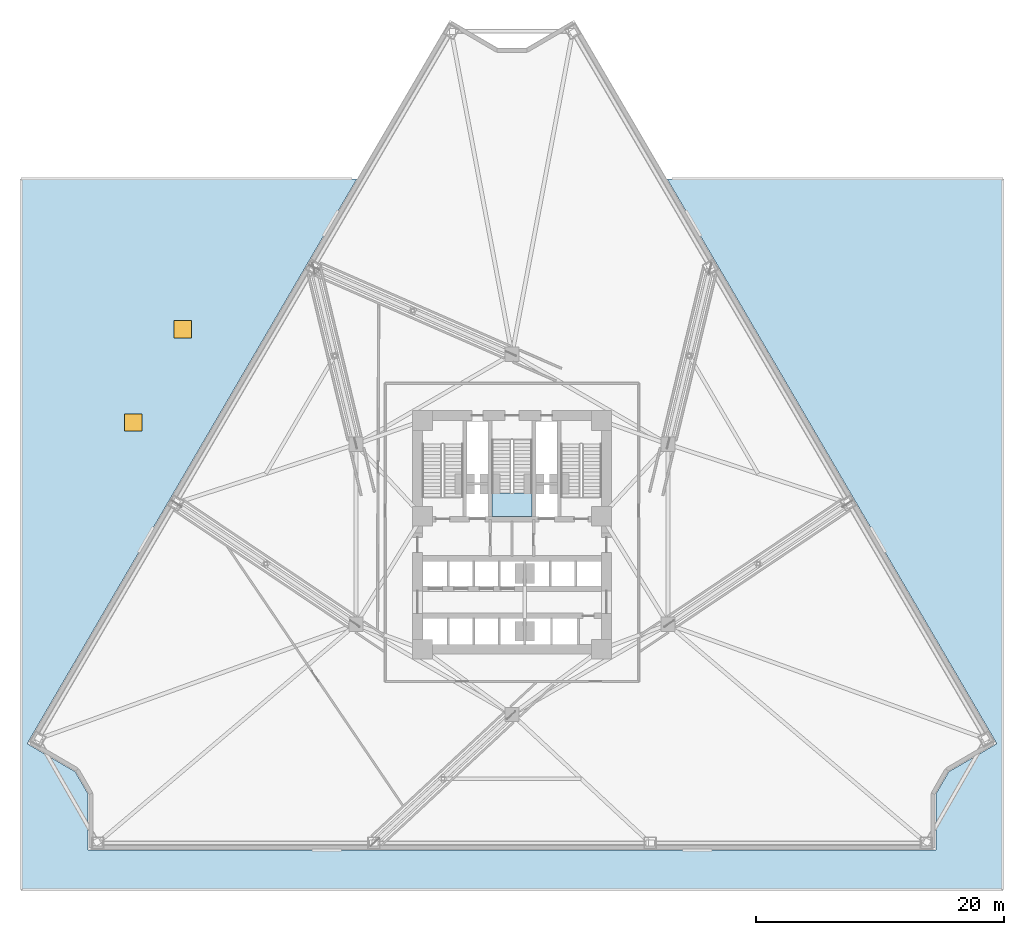
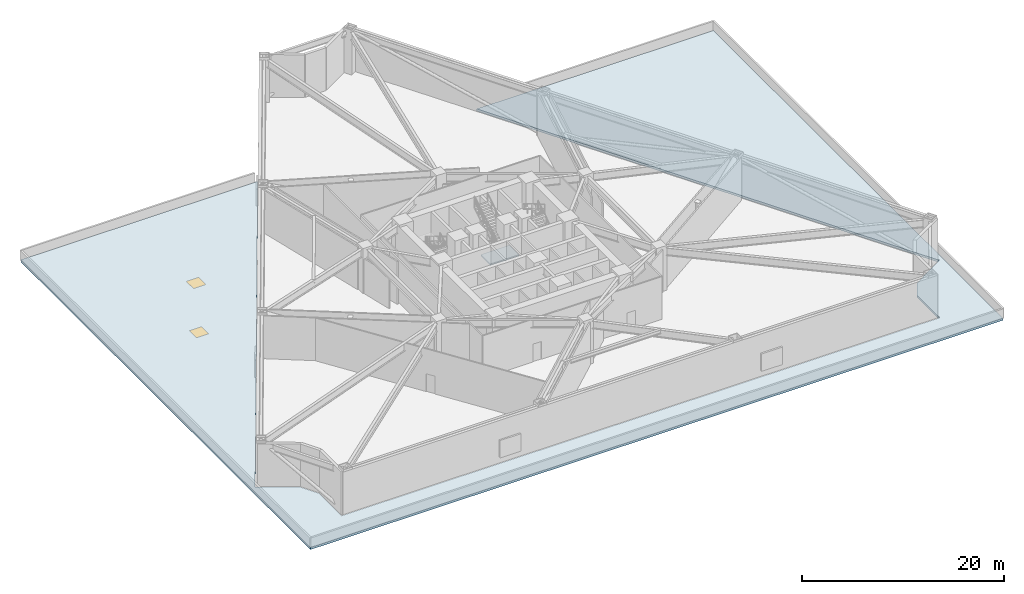
# One storey, part 9 of 23: 2 slabs, 2 windows, 2 openings, 1 element without a shape of its own.
"""IFC4 building model written with IfcOpenShell, lengths in metres."""

from ifc_helpers import new_model, si_unit, direction, frame, origin, origin_2d, place, context, subcontext, project, spatial, polyline, rectangle, outline, extrude, material, layer, layer_set, type_object, element, fill, aggregate, save


model = new_model("IFC4")

# Units and contexts
model_context = context("Model", 3, precision=1e-05, world=origin(), true_north=direction((0.0, 1.0)))
body_context = subcontext(model_context, "Body", "Model", "MODEL_VIEW")
ifc_project = project(units=[si_unit("LENGTHUNIT", "METRE"), si_unit("AREAUNIT", "SQUARE_METRE"), si_unit("VOLUMEUNIT", "CUBIC_METRE"), si_unit("PLANEANGLEUNIT", "RADIAN"), si_unit("MASSUNIT", "GRAM", prefix="KILO")], contexts=[model_context])

# Site, building, storey
site_placement = place(None, origin())
site = spatial("IfcSite", under=ifc_project, at=site_placement, CompositionType="ELEMENT")
building_placement = place(site_placement, origin())
building = spatial("IfcBuilding", under=site, at=building_placement, Name="Apsidion Concourse Tower", CompositionType="ELEMENT")
storey_placement = place(building_placement, frame((0.0, 0.0, 29.0)))
storey = spatial("IfcBuildingStorey", under=building, at=storey_placement, Name="L05", CompositionType="ELEMENT", Elevation=29.0)

# Slab, openings, windows
ifc_material_1 = material(Name="Concrete C50/60", Category="concrete")
ifc_layer_1 = layer(ifc_material_1, 0.260009765625)
ifc_layer_set_1 = layer_set([ifc_layer_1], Name="Concrete C50/60")
slab_type_1 = type_object("IfcSlabType", Name="SL-POD-ROOF-260", PredefinedType="ROOF", material=ifc_layer_set_1)
slab_1_placement = place(storey_placement, frame((0.0, 0.0, -0.260009765625)))
slab_1 = element("IfcSlab", 1, at=slab_1_placement, inside=storey, type_object=slab_type_1, Name="L05 Podium Setback Terrace Roof Slab 1", PredefinedType="ROOF", context=body_context, shape_type="SweptSolid", body=[
    extrude(outline(polyline([(39.5, 28.60009765625), (39.5, -28.60009765625), (-39.5, -28.60009765625), (-39.5, 28.60009765625), (-12.488525390625, 28.60009765625), (-39.0166015625, -16.835205078125), (-39.017578125, -16.837158203125), (-39.018310546875, -16.8388671875), (-39.018798828125, -16.8408203125), (-39.019287109375, -16.8427734375), (-39.019287109375, -16.844482421875), (-39.019287109375, -16.8466796875), (-39.01904296875, -16.8486328125), (-39.018798828125, -16.8505859375), (-39.018310546875, -16.852294921875), (-39.017333984375, -16.854248046875), (-39.016357421875, -16.85595703125), (-39.015380859375, -16.857421875), (-39.01416015625, -16.85888671875), (-39.0126953125, -16.8603515625), (-39.010986328125, -16.861572265625), (-39.009521484375, -16.86279296875), (-35.153564453125, -19.114013671875), (-34.108154296875, -20.934814453125), (-34.108154296875, -25.39990234375), (-34.10791015625, -25.402099609375), (-34.107666015625, -25.40380859375), (-34.107177734375, -25.40576171875), (-34.106689453125, -25.40771484375), (-34.105712890625, -25.409423828125), (-34.104736328125, -25.4111328125), (-34.103515625, -25.41259765625), (-34.102294921875, -25.4140625), (-34.100830078125, -25.41552734375), (-34.09912109375, -25.41650390625), (-34.097412109375, -25.41748046875), (-34.095703125, -25.41845703125), (-34.093994140625, -25.419189453125), (-34.092041015625, -25.419677734375), (-34.090087890625, -25.419921875), (-34.088134765625, -25.419921875), (34.088134765625, -25.419921875), (34.090087890625, -25.419921875), (34.092041015625, -25.419677734375), (34.093994140625, -25.419189453125), (34.095703125, -25.41845703125), (34.097412109375, -25.41748046875), (34.09912109375, -25.41650390625), (34.100830078125, -25.41552734375), (34.102294921875, -25.4140625), (34.103515625, -25.41259765625), (34.104736328125, -25.4111328125), (34.105712890625, -25.409423828125), (34.106689453125, -25.40771484375), (34.107177734375, -25.40576171875), (34.107666015625, -25.40380859375), (34.10791015625, -25.402099609375), (34.108154296875, -25.39990234375), (34.108154296875, -20.934814453125), (35.153564453125, -19.114013671875), (39.009521484375, -16.86279296875), (39.010986328125, -16.861572265625), (39.0126953125, -16.8603515625), (39.01416015625, -16.85888671875), (39.015380859375, -16.857421875), (39.016357421875, -16.85595703125), (39.017333984375, -16.854248046875), (39.018310546875, -16.852294921875), (39.018798828125, -16.8505859375), (39.01904296875, -16.8486328125), (39.019287109375, -16.8466796875), (39.019287109375, -16.844482421875), (39.019287109375, -16.8427734375), (39.018798828125, -16.8408203125), (39.018310546875, -16.8388671875), (39.017578125, -16.837158203125), (39.0166015625, -16.835205078125), (12.488525390625, 28.60009765625), (39.5, 28.60009765625)])), origin(), (0.0, 0.0, 1.0), 0.260009765625),
])
opening_1_placement = place(slab_1_placement, frame((-30.5, 9.0, -0.010009765625)))
opening_1 = element("IfcOpeningElement", 2, at=opening_1_placement, cuts=slab_1, Name="Opening WH-SK1", PredefinedType="OPENING", context=body_context, shape_type="SweptSolid", body=[
    extrude(rectangle(XDim=1.39990234375, YDim=1.39990234375, at=origin_2d()), origin(), (0.0, 0.0, 1.0), 0.280029296875),
])
opening_2_placement = place(slab_1_placement, frame((-26.5, 16.5, -0.010009765625)))
opening_2 = element("IfcOpeningElement", 3, at=opening_2_placement, cuts=slab_1, Name="Opening WH-SK1", PredefinedType="OPENING", context=body_context, shape_type="SweptSolid", body=[
    extrude(rectangle(XDim=1.39990234375, YDim=1.39990234375, at=origin_2d()), origin(), (0.0, 0.0, 1.0), 0.280029296875),
])
ifc_material_2 = material(Name="Insulated laminated low-E glass", Category="glass")
window_type = type_object("IfcWindowType", Name="WN-SKY-1414", PartitioningType="SINGLE_PANEL", PredefinedType="SKYLIGHT", material=ifc_material_2)
window_1_placement = place(slab_1_placement, frame((-30.5, 9.0, 0.2099609375)))
window_1 = element("IfcWindow", 4, at=window_1_placement, inside=storey, type_object=window_type, Name="L05 Podium Setback Skylight 1", OverallHeight=1.39990234375, OverallWidth=1.39990234375, PartitioningType="SINGLE_PANEL", PredefinedType="SKYLIGHT", context=body_context, shape_type="SweptSolid", body=[
    extrude(rectangle(XDim=1.39990234375, YDim=1.39990234375, at=origin_2d()), origin(), (0.0, 0.0, 1.0), 0.050048828125),
])
fill(opening_1, window_1)
window_2_placement = place(slab_1_placement, frame((-26.5, 16.5, 0.2099609375)))
window_2 = element("IfcWindow", 5, at=window_2_placement, inside=storey, type_object=window_type, Name="L05 Podium Setback Skylight 2", OverallHeight=1.39990234375, OverallWidth=1.39990234375, PartitioningType="SINGLE_PANEL", PredefinedType="SKYLIGHT", context=body_context, shape_type="SweptSolid", body=[
    extrude(rectangle(XDim=1.39990234375, YDim=1.39990234375, at=origin_2d()), origin(), (0.0, 0.0, 1.0), 0.050048828125),
])
fill(opening_2, window_2)

# Stair, slab
ifc_material_3 = material(Name="Precast concrete C40/50", Category="concrete")
stair_type = type_object("IfcStairType", Name="ST-DL-1550", PredefinedType="HALF_TURN_STAIR", material=ifc_material_3)
stair_placement = place(storey_placement, origin())
stair = element("IfcStair", 6, at=stair_placement, inside=storey, type_object=stair_type, Name="L05 Protected Core Exit Stair ST3", PredefinedType="HALF_TURN_STAIR")
ifc_layer_2 = layer(ifc_material_1, 0.199951171875)
ifc_layer_set_2 = layer_set([ifc_layer_2], Name="Concrete C50/60")
slab_type_2 = type_object("IfcSlabType", Name="SL-ST-LAND-200", PredefinedType="LANDING", material=ifc_layer_set_2)
slab_2_placement = place(storey_placement, frame((0.0, 0.0, 2.5)))
slab_2 = element("IfcSlab", 7, at=slab_2_placement, type_object=slab_type_2, Name="ST3 landing 1", PredefinedType="LANDING", context=body_context, shape_type="SweptSolid", body=[
    extrude(outline(polyline([(-1.625, 3.324951171875), (-1.625, 1.449951171875), (1.625, 1.449951171875), (1.625, 3.324951171875), (-1.625, 3.324951171875)])), origin(), (0.0, 0.0, 1.0), 0.199951171875),
])
aggregate(stair, [slab_2])

save(model, "model.ifc")
